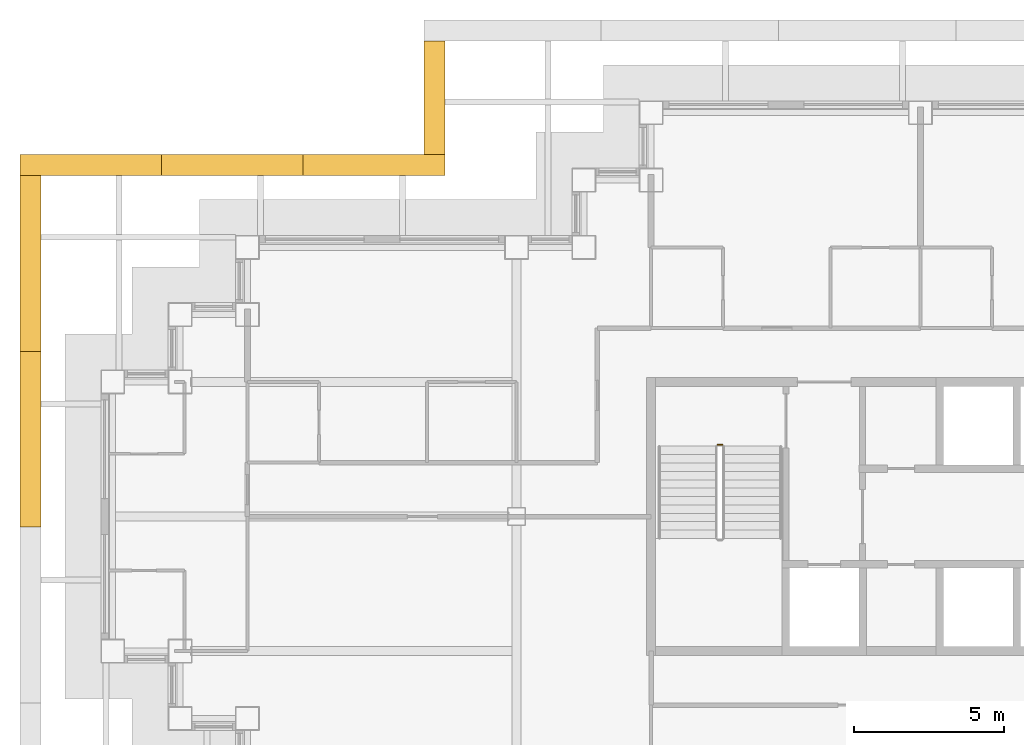
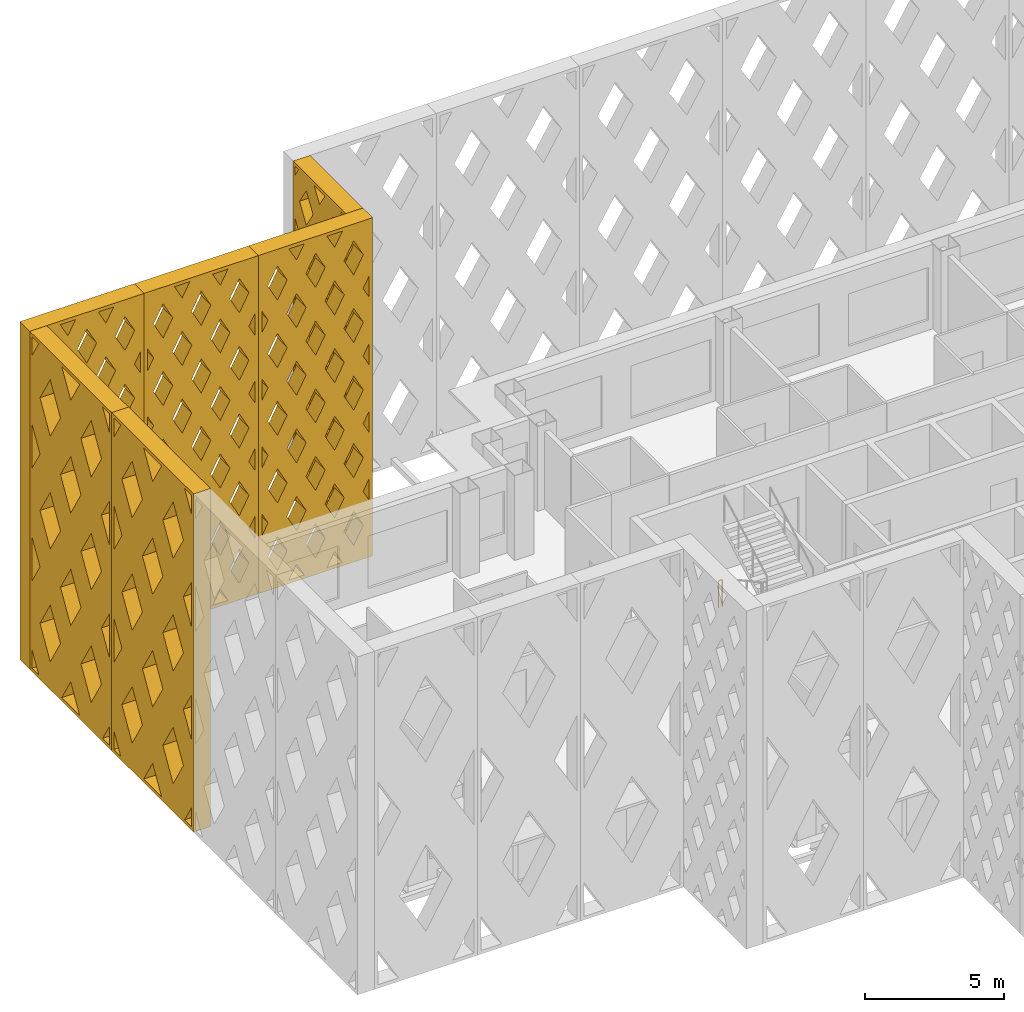
# One storey, part 17 of 19: 6 shading devices, 1 railing.
"""IFC4 building model written with IfcOpenShell, lengths in metres."""

from ifc_helpers import new_model, si_unit, direction, frame, origin, origin_2d, place, context, subcontext, project, spatial, polyline, circle, outline, extrude, material, type_object, element, save


model = new_model("IFC4")

# Units and contexts
model_context = context("Model", 3, precision=1e-05, world=origin(), true_north=direction((0.0, 1.0)))
body_context = subcontext(model_context, "Body", "Model", "MODEL_VIEW")
ifc_project = project(units=[si_unit("LENGTHUNIT", "METRE"), si_unit("AREAUNIT", "SQUARE_METRE"), si_unit("VOLUMEUNIT", "CUBIC_METRE"), si_unit("PLANEANGLEUNIT", "RADIAN"), si_unit("MASSUNIT", "GRAM", prefix="KILO")], contexts=[model_context])

# Site, building, storey
site_placement = place(None, origin())
site = spatial("IfcSite", under=ifc_project, at=site_placement, CompositionType="ELEMENT")
building_placement = place(site_placement, origin())
building = spatial("IfcBuilding", under=site, at=building_placement, Name="Caravel Reach Hotel and Residences", CompositionType="ELEMENT")
storey_placement = place(building_placement, frame((0.0, 0.0, 150.60009765625)))
storey = spatial("IfcBuildingStorey", under=building, at=storey_placement, Name="L37", CompositionType="ELEMENT", Elevation=150.60009765625)

# Shading devices
ifc_material_1 = material(Name="Black powder-coated aluminium", Category="aluminium")
shading_device_type_1 = type_object("IfcShadingDeviceType", Name="Diamond lattice screen panel 3800 x 14800", PredefinedType="USERDEFINED", material=ifc_material_1)
shading_device_1_placement = place(storey_placement, frame((11.10009765625, 42.89990234375, 0.0), z_axis=(-1.0, 0.0, 0.0), x_axis=(0.0, -1.0, 0.0)))
element("IfcShadingDevice", 1, at=shading_device_1_placement, inside=storey, type_object=shading_device_type_1, Name="Lattice screen L37-L40 11.1", ObjectType="SCREEN", PredefinedType="USERDEFINED", context=body_context, shape_type="SweptSolid", body=[
    extrude(outline(polyline([(0.0, 0.0), (3.800048828125, 0.0), (3.800048828125, 14.800048828125), (0.0, 14.800048828125), (0.0, 0.0)]), holes=[polyline([(0.389892578125, 0.14990234375), (0.14990234375, 0.523681640625), (0.14990234375, 0.14990234375), (0.389892578125, 0.14990234375)]), polyline([(0.486083984375, 2.9599609375), (0.14990234375, 3.483642578125), (0.14990234375, 2.436279296875), (0.486083984375, 2.9599609375)]), polyline([(0.486083984375, 5.919921875), (0.14990234375, 6.44384765625), (0.14990234375, 5.396240234375), (0.486083984375, 5.919921875)]), polyline([(0.486083984375, 8.8798828125), (0.14990234375, 9.40380859375), (0.14990234375, 8.356201171875), (0.486083984375, 8.8798828125)]), polyline([(0.486083984375, 11.840087890625), (0.14990234375, 12.36376953125), (0.14990234375, 11.316162109375), (0.486083984375, 11.840087890625)]), polyline([(0.14990234375, 14.2763671875), (0.389892578125, 14.64990234375), (0.14990234375, 14.64990234375), (0.14990234375, 14.2763671875)]), polyline([(0.949951171875, 2.237548828125), (0.4638671875, 1.47998046875), (0.949951171875, 0.72265625), (1.436279296875, 1.47998046875), (0.949951171875, 2.237548828125)]), polyline([(0.949951171875, 5.197509765625), (0.4638671875, 4.43994140625), (0.949951171875, 3.6826171875), (1.436279296875, 4.43994140625), (0.949951171875, 5.197509765625)]), polyline([(0.949951171875, 8.157470703125), (0.4638671875, 7.39990234375), (0.949951171875, 6.642578125), (1.436279296875, 7.39990234375), (0.949951171875, 8.157470703125)]), polyline([(0.949951171875, 11.117431640625), (0.4638671875, 10.360107421875), (0.949951171875, 9.6025390625), (1.436279296875, 10.360107421875), (0.949951171875, 11.117431640625)]), polyline([(0.949951171875, 14.077392578125), (0.4638671875, 13.320068359375), (0.949951171875, 12.5625), (1.436279296875, 13.320068359375), (0.949951171875, 14.077392578125)]), polyline([(1.89990234375, 0.75732421875), (1.510009765625, 0.14990234375), (2.289794921875, 0.14990234375), (1.89990234375, 0.75732421875)]), polyline([(1.89990234375, 3.717529296875), (1.413818359375, 2.9599609375), (1.89990234375, 2.20263671875), (2.38623046875, 2.9599609375), (1.89990234375, 3.717529296875)]), polyline([(1.89990234375, 6.677490234375), (1.413818359375, 5.919921875), (1.89990234375, 5.16259765625), (2.38623046875, 5.919921875), (1.89990234375, 6.677490234375)]), polyline([(1.89990234375, 9.637451171875), (1.413818359375, 8.8798828125), (1.89990234375, 8.12255859375), (2.38623046875, 8.8798828125), (1.89990234375, 9.637451171875)]), polyline([(1.89990234375, 12.597412109375), (1.413818359375, 11.840087890625), (1.89990234375, 11.08251953125), (2.38623046875, 11.840087890625), (1.89990234375, 12.597412109375)]), polyline([(1.89990234375, 14.04248046875), (2.289794921875, 14.64990234375), (1.510009765625, 14.64990234375), (1.89990234375, 14.04248046875)]), polyline([(2.85009765625, 2.237548828125), (2.36376953125, 1.47998046875), (2.85009765625, 0.72265625), (3.336181640625, 1.47998046875), (2.85009765625, 2.237548828125)]), polyline([(2.85009765625, 5.197509765625), (2.36376953125, 4.43994140625), (2.85009765625, 3.6826171875), (3.336181640625, 4.43994140625), (2.85009765625, 5.197509765625)]), polyline([(2.85009765625, 8.157470703125), (2.36376953125, 7.39990234375), (2.85009765625, 6.642578125), (3.336181640625, 7.39990234375), (2.85009765625, 8.157470703125)]), polyline([(2.85009765625, 11.117431640625), (2.36376953125, 10.360107421875), (2.85009765625, 9.6025390625), (3.336181640625, 10.360107421875), (2.85009765625, 11.117431640625)]), polyline([(2.85009765625, 14.077392578125), (2.36376953125, 13.320068359375), (2.85009765625, 12.5625), (3.336181640625, 13.320068359375), (2.85009765625, 14.077392578125)]), polyline([(3.64990234375, 0.523681640625), (3.41015625, 0.14990234375), (3.64990234375, 0.14990234375), (3.64990234375, 0.523681640625)]), polyline([(3.313720703125, 2.9599609375), (3.64990234375, 2.436279296875), (3.64990234375, 3.483642578125), (3.313720703125, 2.9599609375)]), polyline([(3.313720703125, 5.919921875), (3.64990234375, 5.396240234375), (3.64990234375, 6.44384765625), (3.313720703125, 5.919921875)]), polyline([(3.313720703125, 8.8798828125), (3.64990234375, 8.356201171875), (3.64990234375, 9.40380859375), (3.313720703125, 8.8798828125)]), polyline([(3.313720703125, 11.840087890625), (3.64990234375, 11.316162109375), (3.64990234375, 12.36376953125), (3.313720703125, 11.840087890625)]), polyline([(3.41015625, 14.64990234375), (3.64990234375, 14.2763671875), (3.64990234375, 14.64990234375), (3.41015625, 14.64990234375)])]), origin(), (0.0, 0.0, 1.0), 0.7001953125),
])
ifc_material_2 = material(Name="Black powder-coated aluminium", Category="aluminium")
shading_device_type_2 = type_object("IfcShadingDeviceType", Name="Diamond lattice screen panel 4733 x 14800", PredefinedType="USERDEFINED", material=ifc_material_2)
shading_device_2_placement = place(storey_placement, frame((11.10009765625, 38.39990234375, 0.0), z_axis=(0.0, 1.0, 0.0), x_axis=(-1.0, 0.0, 0.0)))
element("IfcShadingDevice", 2, at=shading_device_2_placement, inside=storey, type_object=shading_device_type_2, Name="Lattice screen L37-L40 12.1", ObjectType="SCREEN", PredefinedType="USERDEFINED", context=body_context, shape_type="SweptSolid", body=[
    extrude(outline(polyline([(0.0, 0.0), (4.7333984375, 0.0), (4.7333984375, 14.800048828125), (0.0, 14.800048828125), (0.0, 0.0)]), holes=[polyline([(0.398681640625, 2.9599609375), (0.14990234375, 3.4267578125), (0.14990234375, 2.493408203125), (0.398681640625, 2.9599609375)]), polyline([(0.398681640625, 5.919921875), (0.14990234375, 6.38671875), (0.14990234375, 5.453369140625), (0.398681640625, 5.919921875)]), polyline([(0.398681640625, 8.8798828125), (0.14990234375, 9.3466796875), (0.14990234375, 8.413330078125), (0.398681640625, 8.8798828125)]), polyline([(0.398681640625, 11.840087890625), (0.14990234375, 12.306640625), (0.14990234375, 11.373291015625), (0.398681640625, 11.840087890625)]), polyline([(0.788818359375, 2.22802734375), (0.39013671875, 1.47998046875), (0.788818359375, 0.73193359375), (1.187744140625, 1.47998046875), (0.788818359375, 2.22802734375)]), polyline([(0.788818359375, 5.18798828125), (0.39013671875, 4.43994140625), (0.788818359375, 3.69189453125), (1.187744140625, 4.43994140625), (0.788818359375, 5.18798828125)]), polyline([(0.788818359375, 8.14794921875), (0.39013671875, 7.39990234375), (0.788818359375, 6.65185546875), (1.187744140625, 7.39990234375), (0.788818359375, 8.14794921875)]), polyline([(0.788818359375, 11.108154296875), (0.39013671875, 10.360107421875), (0.788818359375, 9.612060546875), (1.187744140625, 10.360107421875), (0.788818359375, 11.108154296875)]), polyline([(0.788818359375, 14.068115234375), (0.39013671875, 13.320068359375), (0.788818359375, 12.572021484375), (1.187744140625, 13.320068359375), (0.788818359375, 14.068115234375)]), polyline([(1.577880859375, 0.748046875), (1.259033203125, 0.14990234375), (1.896484375, 0.14990234375), (1.577880859375, 0.748046875)]), polyline([(1.577880859375, 3.7080078125), (1.178955078125, 2.9599609375), (1.577880859375, 2.2119140625), (1.9765625, 2.9599609375), (1.577880859375, 3.7080078125)]), polyline([(1.577880859375, 6.66796875), (1.178955078125, 5.919921875), (1.577880859375, 5.171875), (1.9765625, 5.919921875), (1.577880859375, 6.66796875)]), polyline([(1.577880859375, 9.6279296875), (1.178955078125, 8.8798828125), (1.577880859375, 8.1318359375), (1.9765625, 8.8798828125), (1.577880859375, 9.6279296875)]), polyline([(1.577880859375, 12.588134765625), (1.178955078125, 11.840087890625), (1.577880859375, 11.092041015625), (1.9765625, 11.840087890625), (1.577880859375, 12.588134765625)]), polyline([(1.577880859375, 14.052001953125), (1.896484375, 14.64990234375), (1.259033203125, 14.64990234375), (1.577880859375, 14.052001953125)]), polyline([(2.36669921875, 2.22802734375), (1.968017578125, 1.47998046875), (2.36669921875, 0.73193359375), (2.765380859375, 1.47998046875), (2.36669921875, 2.22802734375)]), polyline([(2.36669921875, 5.18798828125), (1.968017578125, 4.43994140625), (2.36669921875, 3.69189453125), (2.765380859375, 4.43994140625), (2.36669921875, 5.18798828125)]), polyline([(2.36669921875, 8.14794921875), (1.968017578125, 7.39990234375), (2.36669921875, 6.65185546875), (2.765380859375, 7.39990234375), (2.36669921875, 8.14794921875)]), polyline([(2.36669921875, 11.108154296875), (1.968017578125, 10.360107421875), (2.36669921875, 9.612060546875), (2.765380859375, 10.360107421875), (2.36669921875, 11.108154296875)]), polyline([(2.36669921875, 14.068115234375), (1.968017578125, 13.320068359375), (2.36669921875, 12.572021484375), (2.765380859375, 13.320068359375), (2.36669921875, 14.068115234375)]), polyline([(3.155517578125, 0.748046875), (2.836669921875, 0.14990234375), (3.474365234375, 0.14990234375), (3.155517578125, 0.748046875)]), polyline([(3.155517578125, 3.7080078125), (2.7568359375, 2.9599609375), (3.155517578125, 2.2119140625), (3.55419921875, 2.9599609375), (3.155517578125, 3.7080078125)]), polyline([(3.155517578125, 6.66796875), (2.7568359375, 5.919921875), (3.155517578125, 5.171875), (3.55419921875, 5.919921875), (3.155517578125, 6.66796875)]), polyline([(3.155517578125, 9.6279296875), (2.7568359375, 8.8798828125), (3.155517578125, 8.1318359375), (3.55419921875, 8.8798828125), (3.155517578125, 9.6279296875)]), polyline([(3.155517578125, 12.588134765625), (2.7568359375, 11.840087890625), (3.155517578125, 11.092041015625), (3.55419921875, 11.840087890625), (3.155517578125, 12.588134765625)]), polyline([(3.155517578125, 14.052001953125), (3.474365234375, 14.64990234375), (2.836669921875, 14.64990234375), (3.155517578125, 14.052001953125)]), polyline([(3.9443359375, 2.22802734375), (3.545654296875, 1.47998046875), (3.9443359375, 0.73193359375), (4.34326171875, 1.47998046875), (3.9443359375, 2.22802734375)]), polyline([(3.9443359375, 5.18798828125), (3.545654296875, 4.43994140625), (3.9443359375, 3.69189453125), (4.34326171875, 4.43994140625), (3.9443359375, 5.18798828125)]), polyline([(3.9443359375, 8.14794921875), (3.545654296875, 7.39990234375), (3.9443359375, 6.65185546875), (4.34326171875, 7.39990234375), (3.9443359375, 8.14794921875)]), polyline([(3.9443359375, 11.108154296875), (3.545654296875, 10.360107421875), (3.9443359375, 9.612060546875), (4.34326171875, 10.360107421875), (3.9443359375, 11.108154296875)]), polyline([(3.9443359375, 14.068115234375), (3.545654296875, 13.320068359375), (3.9443359375, 12.572021484375), (4.34326171875, 13.320068359375), (3.9443359375, 14.068115234375)]), polyline([(4.334716796875, 2.9599609375), (4.583251953125, 2.493408203125), (4.583251953125, 3.4267578125), (4.334716796875, 2.9599609375)]), polyline([(4.334716796875, 5.919921875), (4.583251953125, 5.453369140625), (4.583251953125, 6.38671875), (4.334716796875, 5.919921875)]), polyline([(4.334716796875, 8.8798828125), (4.583251953125, 8.413330078125), (4.583251953125, 9.3466796875), (4.334716796875, 8.8798828125)]), polyline([(4.334716796875, 11.840087890625), (4.583251953125, 11.373291015625), (4.583251953125, 12.306640625), (4.334716796875, 11.840087890625)])]), origin(), (0.0, 0.0, 1.0), 0.7001953125),
])
shading_device_3_placement = place(storey_placement, frame((6.36669921875, 38.39990234375, 0.0), z_axis=(0.0, 1.0, 0.0), x_axis=(-1.0, 0.0, 0.0)))
element("IfcShadingDevice", 3, at=shading_device_3_placement, inside=storey, type_object=shading_device_type_2, Name="Lattice screen L37-L40 12.2", ObjectType="SCREEN", PredefinedType="USERDEFINED", context=body_context, shape_type="SweptSolid", body=[
    extrude(outline(polyline([(0.0, 0.0), (4.7333984375, 0.0), (4.7333984375, 14.800048828125), (0.0, 14.800048828125), (0.0, 0.0)]), holes=[polyline([(0.398681640625, 2.9599609375), (0.14990234375, 3.4267578125), (0.14990234375, 2.493408203125), (0.398681640625, 2.9599609375)]), polyline([(0.398681640625, 5.919921875), (0.14990234375, 6.38671875), (0.14990234375, 5.453369140625), (0.398681640625, 5.919921875)]), polyline([(0.398681640625, 8.8798828125), (0.14990234375, 9.3466796875), (0.14990234375, 8.413330078125), (0.398681640625, 8.8798828125)]), polyline([(0.398681640625, 11.840087890625), (0.14990234375, 12.306640625), (0.14990234375, 11.373291015625), (0.398681640625, 11.840087890625)]), polyline([(0.788818359375, 2.22802734375), (0.39013671875, 1.47998046875), (0.788818359375, 0.73193359375), (1.187744140625, 1.47998046875), (0.788818359375, 2.22802734375)]), polyline([(0.788818359375, 5.18798828125), (0.39013671875, 4.43994140625), (0.788818359375, 3.69189453125), (1.187744140625, 4.43994140625), (0.788818359375, 5.18798828125)]), polyline([(0.788818359375, 8.14794921875), (0.39013671875, 7.39990234375), (0.788818359375, 6.65185546875), (1.187744140625, 7.39990234375), (0.788818359375, 8.14794921875)]), polyline([(0.788818359375, 11.108154296875), (0.39013671875, 10.360107421875), (0.788818359375, 9.612060546875), (1.187744140625, 10.360107421875), (0.788818359375, 11.108154296875)]), polyline([(0.788818359375, 14.068115234375), (0.39013671875, 13.320068359375), (0.788818359375, 12.572021484375), (1.187744140625, 13.320068359375), (0.788818359375, 14.068115234375)]), polyline([(1.577880859375, 0.748046875), (1.259033203125, 0.14990234375), (1.896484375, 0.14990234375), (1.577880859375, 0.748046875)]), polyline([(1.577880859375, 3.7080078125), (1.178955078125, 2.9599609375), (1.577880859375, 2.2119140625), (1.9765625, 2.9599609375), (1.577880859375, 3.7080078125)]), polyline([(1.577880859375, 6.66796875), (1.178955078125, 5.919921875), (1.577880859375, 5.171875), (1.9765625, 5.919921875), (1.577880859375, 6.66796875)]), polyline([(1.577880859375, 9.6279296875), (1.178955078125, 8.8798828125), (1.577880859375, 8.1318359375), (1.9765625, 8.8798828125), (1.577880859375, 9.6279296875)]), polyline([(1.577880859375, 12.588134765625), (1.178955078125, 11.840087890625), (1.577880859375, 11.092041015625), (1.9765625, 11.840087890625), (1.577880859375, 12.588134765625)]), polyline([(1.577880859375, 14.052001953125), (1.896484375, 14.64990234375), (1.259033203125, 14.64990234375), (1.577880859375, 14.052001953125)]), polyline([(2.36669921875, 2.22802734375), (1.968017578125, 1.47998046875), (2.36669921875, 0.73193359375), (2.765380859375, 1.47998046875), (2.36669921875, 2.22802734375)]), polyline([(2.36669921875, 5.18798828125), (1.968017578125, 4.43994140625), (2.36669921875, 3.69189453125), (2.765380859375, 4.43994140625), (2.36669921875, 5.18798828125)]), polyline([(2.36669921875, 8.14794921875), (1.968017578125, 7.39990234375), (2.36669921875, 6.65185546875), (2.765380859375, 7.39990234375), (2.36669921875, 8.14794921875)]), polyline([(2.36669921875, 11.108154296875), (1.968017578125, 10.360107421875), (2.36669921875, 9.612060546875), (2.765380859375, 10.360107421875), (2.36669921875, 11.108154296875)]), polyline([(2.36669921875, 14.068115234375), (1.968017578125, 13.320068359375), (2.36669921875, 12.572021484375), (2.765380859375, 13.320068359375), (2.36669921875, 14.068115234375)]), polyline([(3.155517578125, 0.748046875), (2.836669921875, 0.14990234375), (3.474365234375, 0.14990234375), (3.155517578125, 0.748046875)]), polyline([(3.155517578125, 3.7080078125), (2.7568359375, 2.9599609375), (3.155517578125, 2.2119140625), (3.55419921875, 2.9599609375), (3.155517578125, 3.7080078125)]), polyline([(3.155517578125, 6.66796875), (2.7568359375, 5.919921875), (3.155517578125, 5.171875), (3.55419921875, 5.919921875), (3.155517578125, 6.66796875)]), polyline([(3.155517578125, 9.6279296875), (2.7568359375, 8.8798828125), (3.155517578125, 8.1318359375), (3.55419921875, 8.8798828125), (3.155517578125, 9.6279296875)]), polyline([(3.155517578125, 12.588134765625), (2.7568359375, 11.840087890625), (3.155517578125, 11.092041015625), (3.55419921875, 11.840087890625), (3.155517578125, 12.588134765625)]), polyline([(3.155517578125, 14.052001953125), (3.474365234375, 14.64990234375), (2.836669921875, 14.64990234375), (3.155517578125, 14.052001953125)]), polyline([(3.9443359375, 2.22802734375), (3.545654296875, 1.47998046875), (3.9443359375, 0.73193359375), (4.34326171875, 1.47998046875), (3.9443359375, 2.22802734375)]), polyline([(3.9443359375, 5.18798828125), (3.545654296875, 4.43994140625), (3.9443359375, 3.69189453125), (4.34326171875, 4.43994140625), (3.9443359375, 5.18798828125)]), polyline([(3.9443359375, 8.14794921875), (3.545654296875, 7.39990234375), (3.9443359375, 6.65185546875), (4.34326171875, 7.39990234375), (3.9443359375, 8.14794921875)]), polyline([(3.9443359375, 11.108154296875), (3.545654296875, 10.360107421875), (3.9443359375, 9.612060546875), (4.34326171875, 10.360107421875), (3.9443359375, 11.108154296875)]), polyline([(3.9443359375, 14.068115234375), (3.545654296875, 13.320068359375), (3.9443359375, 12.572021484375), (4.34326171875, 13.320068359375), (3.9443359375, 14.068115234375)]), polyline([(4.334716796875, 2.9599609375), (4.583251953125, 2.493408203125), (4.583251953125, 3.4267578125), (4.334716796875, 2.9599609375)]), polyline([(4.334716796875, 5.919921875), (4.583251953125, 5.453369140625), (4.583251953125, 6.38671875), (4.334716796875, 5.919921875)]), polyline([(4.334716796875, 8.8798828125), (4.583251953125, 8.413330078125), (4.583251953125, 9.3466796875), (4.334716796875, 8.8798828125)]), polyline([(4.334716796875, 11.840087890625), (4.583251953125, 11.373291015625), (4.583251953125, 12.306640625), (4.334716796875, 11.840087890625)])]), origin(), (0.0, 0.0, 1.0), 0.7001953125),
])
shading_device_4_placement = place(storey_placement, frame((1.63330078125, 38.39990234375, 0.0), z_axis=(0.0, 1.0, 0.0), x_axis=(-1.0, 0.0, 0.0)))
element("IfcShadingDevice", 4, at=shading_device_4_placement, inside=storey, type_object=shading_device_type_2, Name="Lattice screen L37-L40 12.3", ObjectType="SCREEN", PredefinedType="USERDEFINED", context=body_context, shape_type="SweptSolid", body=[
    extrude(outline(polyline([(0.0, 0.0), (4.7333984375, 0.0), (4.7333984375, 14.800048828125), (0.0, 14.800048828125), (0.0, 0.0)]), holes=[polyline([(0.398681640625, 2.9599609375), (0.14990234375, 3.4267578125), (0.14990234375, 2.493408203125), (0.398681640625, 2.9599609375)]), polyline([(0.398681640625, 5.919921875), (0.14990234375, 6.38671875), (0.14990234375, 5.453369140625), (0.398681640625, 5.919921875)]), polyline([(0.398681640625, 8.8798828125), (0.14990234375, 9.3466796875), (0.14990234375, 8.413330078125), (0.398681640625, 8.8798828125)]), polyline([(0.398681640625, 11.840087890625), (0.14990234375, 12.306640625), (0.14990234375, 11.373291015625), (0.398681640625, 11.840087890625)]), polyline([(0.788818359375, 2.22802734375), (0.39013671875, 1.47998046875), (0.788818359375, 0.73193359375), (1.187744140625, 1.47998046875), (0.788818359375, 2.22802734375)]), polyline([(0.788818359375, 5.18798828125), (0.39013671875, 4.43994140625), (0.788818359375, 3.69189453125), (1.187744140625, 4.43994140625), (0.788818359375, 5.18798828125)]), polyline([(0.788818359375, 8.14794921875), (0.39013671875, 7.39990234375), (0.788818359375, 6.65185546875), (1.187744140625, 7.39990234375), (0.788818359375, 8.14794921875)]), polyline([(0.788818359375, 11.108154296875), (0.39013671875, 10.360107421875), (0.788818359375, 9.612060546875), (1.187744140625, 10.360107421875), (0.788818359375, 11.108154296875)]), polyline([(0.788818359375, 14.068115234375), (0.39013671875, 13.320068359375), (0.788818359375, 12.572021484375), (1.187744140625, 13.320068359375), (0.788818359375, 14.068115234375)]), polyline([(1.577880859375, 0.748046875), (1.259033203125, 0.14990234375), (1.896484375, 0.14990234375), (1.577880859375, 0.748046875)]), polyline([(1.577880859375, 3.7080078125), (1.178955078125, 2.9599609375), (1.577880859375, 2.2119140625), (1.9765625, 2.9599609375), (1.577880859375, 3.7080078125)]), polyline([(1.577880859375, 6.66796875), (1.178955078125, 5.919921875), (1.577880859375, 5.171875), (1.9765625, 5.919921875), (1.577880859375, 6.66796875)]), polyline([(1.577880859375, 9.6279296875), (1.178955078125, 8.8798828125), (1.577880859375, 8.1318359375), (1.9765625, 8.8798828125), (1.577880859375, 9.6279296875)]), polyline([(1.577880859375, 12.588134765625), (1.178955078125, 11.840087890625), (1.577880859375, 11.092041015625), (1.9765625, 11.840087890625), (1.577880859375, 12.588134765625)]), polyline([(1.577880859375, 14.052001953125), (1.896484375, 14.64990234375), (1.259033203125, 14.64990234375), (1.577880859375, 14.052001953125)]), polyline([(2.36669921875, 2.22802734375), (1.968017578125, 1.47998046875), (2.36669921875, 0.73193359375), (2.765380859375, 1.47998046875), (2.36669921875, 2.22802734375)]), polyline([(2.36669921875, 5.18798828125), (1.968017578125, 4.43994140625), (2.36669921875, 3.69189453125), (2.765380859375, 4.43994140625), (2.36669921875, 5.18798828125)]), polyline([(2.36669921875, 8.14794921875), (1.968017578125, 7.39990234375), (2.36669921875, 6.65185546875), (2.765380859375, 7.39990234375), (2.36669921875, 8.14794921875)]), polyline([(2.36669921875, 11.108154296875), (1.968017578125, 10.360107421875), (2.36669921875, 9.612060546875), (2.765380859375, 10.360107421875), (2.36669921875, 11.108154296875)]), polyline([(2.36669921875, 14.068115234375), (1.968017578125, 13.320068359375), (2.36669921875, 12.572021484375), (2.765380859375, 13.320068359375), (2.36669921875, 14.068115234375)]), polyline([(3.155517578125, 0.748046875), (2.836669921875, 0.14990234375), (3.474365234375, 0.14990234375), (3.155517578125, 0.748046875)]), polyline([(3.155517578125, 3.7080078125), (2.7568359375, 2.9599609375), (3.155517578125, 2.2119140625), (3.55419921875, 2.9599609375), (3.155517578125, 3.7080078125)]), polyline([(3.155517578125, 6.66796875), (2.7568359375, 5.919921875), (3.155517578125, 5.171875), (3.55419921875, 5.919921875), (3.155517578125, 6.66796875)]), polyline([(3.155517578125, 9.6279296875), (2.7568359375, 8.8798828125), (3.155517578125, 8.1318359375), (3.55419921875, 8.8798828125), (3.155517578125, 9.6279296875)]), polyline([(3.155517578125, 12.588134765625), (2.7568359375, 11.840087890625), (3.155517578125, 11.092041015625), (3.55419921875, 11.840087890625), (3.155517578125, 12.588134765625)]), polyline([(3.155517578125, 14.052001953125), (3.474365234375, 14.64990234375), (2.836669921875, 14.64990234375), (3.155517578125, 14.052001953125)]), polyline([(3.9443359375, 2.22802734375), (3.545654296875, 1.47998046875), (3.9443359375, 0.73193359375), (4.34326171875, 1.47998046875), (3.9443359375, 2.22802734375)]), polyline([(3.9443359375, 5.18798828125), (3.545654296875, 4.43994140625), (3.9443359375, 3.69189453125), (4.34326171875, 4.43994140625), (3.9443359375, 5.18798828125)]), polyline([(3.9443359375, 8.14794921875), (3.545654296875, 7.39990234375), (3.9443359375, 6.65185546875), (4.34326171875, 7.39990234375), (3.9443359375, 8.14794921875)]), polyline([(3.9443359375, 11.108154296875), (3.545654296875, 10.360107421875), (3.9443359375, 9.612060546875), (4.34326171875, 10.360107421875), (3.9443359375, 11.108154296875)]), polyline([(3.9443359375, 14.068115234375), (3.545654296875, 13.320068359375), (3.9443359375, 12.572021484375), (4.34326171875, 13.320068359375), (3.9443359375, 14.068115234375)]), polyline([(4.334716796875, 2.9599609375), (4.583251953125, 2.493408203125), (4.583251953125, 3.4267578125), (4.334716796875, 2.9599609375)]), polyline([(4.334716796875, 5.919921875), (4.583251953125, 5.453369140625), (4.583251953125, 6.38671875), (4.334716796875, 5.919921875)]), polyline([(4.334716796875, 8.8798828125), (4.583251953125, 8.413330078125), (4.583251953125, 9.3466796875), (4.334716796875, 8.8798828125)]), polyline([(4.334716796875, 11.840087890625), (4.583251953125, 11.373291015625), (4.583251953125, 12.306640625), (4.334716796875, 11.840087890625)])]), origin(), (0.0, 0.0, 1.0), 0.7001953125),
])
ifc_material_3 = material(Name="Black powder-coated aluminium", Category="aluminium")
shading_device_type_3 = type_object("IfcShadingDeviceType", Name="Diamond lattice screen panel 5875 x 14800", PredefinedType="USERDEFINED", material=ifc_material_3)
shading_device_5_placement = place(storey_placement, frame((-2.39990234375, 38.39990234375, 0.0), z_axis=(-1.0, 0.0, 0.0), x_axis=(0.0, -1.0, 0.0)))
element("IfcShadingDevice", 5, at=shading_device_5_placement, inside=storey, type_object=shading_device_type_3, Name="Lattice screen L37-L40 13.1", ObjectType="SCREEN", PredefinedType="USERDEFINED", context=body_context, shape_type="SweptSolid", body=[
    extrude(outline(polyline([(0.0, 0.0), (5.875, 0.0), (5.875, 14.800048828125), (0.0, 14.800048828125), (0.0, 0.0)]), holes=[polyline([(0.647216796875, 0.14990234375), (0.14990234375, 0.985107421875), (0.14990234375, 0.14990234375), (0.647216796875, 0.14990234375)]), polyline([(0.736572265625, 4.933349609375), (0.14990234375, 5.91845703125), (0.14990234375, 3.9482421875), (0.736572265625, 4.933349609375)]), polyline([(0.736572265625, 9.86669921875), (0.14990234375, 10.851806640625), (0.14990234375, 8.881591796875), (0.736572265625, 9.86669921875)]), polyline([(0.14990234375, 13.81494140625), (0.647216796875, 14.64990234375), (0.14990234375, 14.64990234375), (0.14990234375, 13.81494140625)]), polyline([(1.46875, 3.70361328125), (0.732177734375, 2.466552734375), (1.46875, 1.2294921875), (2.205322265625, 2.466552734375), (1.46875, 3.70361328125)]), polyline([(1.46875, 8.636962890625), (0.732177734375, 7.39990234375), (1.46875, 6.162841796875), (2.205322265625, 7.39990234375), (1.46875, 8.636962890625)]), polyline([(1.46875, 13.5703125), (0.732177734375, 12.333251953125), (1.46875, 11.09619140625), (2.205322265625, 12.333251953125), (1.46875, 13.5703125)]), polyline([(2.9375, 1.237060546875), (2.290283203125, 0.14990234375), (3.584716796875, 0.14990234375), (2.9375, 1.237060546875)]), polyline([(2.9375, 6.17041015625), (2.200927734375, 4.933349609375), (2.9375, 3.6962890625), (3.674072265625, 4.933349609375), (2.9375, 6.17041015625)]), polyline([(2.9375, 11.103759765625), (2.200927734375, 9.86669921875), (2.9375, 8.629638671875), (3.674072265625, 9.86669921875), (2.9375, 11.103759765625)]), polyline([(2.9375, 13.56298828125), (3.584716796875, 14.64990234375), (2.290283203125, 14.64990234375), (2.9375, 13.56298828125)]), polyline([(4.40625, 3.70361328125), (3.669677734375, 2.466552734375), (4.40625, 1.2294921875), (5.142822265625, 2.466552734375), (4.40625, 3.70361328125)]), polyline([(4.40625, 8.636962890625), (3.669677734375, 7.39990234375), (4.40625, 6.162841796875), (5.142822265625, 7.39990234375), (4.40625, 8.636962890625)]), polyline([(4.40625, 13.5703125), (3.669677734375, 12.333251953125), (4.40625, 11.09619140625), (5.142822265625, 12.333251953125), (4.40625, 13.5703125)]), polyline([(5.72509765625, 0.985107421875), (5.227783203125, 0.14990234375), (5.72509765625, 0.14990234375), (5.72509765625, 0.985107421875)]), polyline([(5.138427734375, 4.933349609375), (5.72509765625, 3.9482421875), (5.72509765625, 5.91845703125), (5.138427734375, 4.933349609375)]), polyline([(5.138427734375, 9.86669921875), (5.72509765625, 8.881591796875), (5.72509765625, 10.851806640625), (5.138427734375, 9.86669921875)]), polyline([(5.227783203125, 14.64990234375), (5.72509765625, 13.81494140625), (5.72509765625, 14.64990234375), (5.227783203125, 14.64990234375)])]), origin(), (0.0, 0.0, 1.0), 0.7001953125),
])
shading_device_6_placement = place(storey_placement, frame((-2.39990234375, 32.52490234375, 0.0), z_axis=(-1.0, 0.0, 0.0), x_axis=(0.0, -1.0, 0.0)))
element("IfcShadingDevice", 6, at=shading_device_6_placement, inside=storey, type_object=shading_device_type_3, Name="Lattice screen L37-L40 13.2", ObjectType="SCREEN", PredefinedType="USERDEFINED", context=body_context, shape_type="SweptSolid", body=[
    extrude(outline(polyline([(0.0, 0.0), (5.875, 0.0), (5.875, 14.800048828125), (0.0, 14.800048828125), (0.0, 0.0)]), holes=[polyline([(0.647216796875, 0.14990234375), (0.14990234375, 0.985107421875), (0.14990234375, 0.14990234375), (0.647216796875, 0.14990234375)]), polyline([(0.736572265625, 4.933349609375), (0.14990234375, 5.91845703125), (0.14990234375, 3.9482421875), (0.736572265625, 4.933349609375)]), polyline([(0.736572265625, 9.86669921875), (0.14990234375, 10.851806640625), (0.14990234375, 8.881591796875), (0.736572265625, 9.86669921875)]), polyline([(0.14990234375, 13.81494140625), (0.647216796875, 14.64990234375), (0.14990234375, 14.64990234375), (0.14990234375, 13.81494140625)]), polyline([(1.46875, 3.70361328125), (0.732177734375, 2.466552734375), (1.46875, 1.2294921875), (2.205322265625, 2.466552734375), (1.46875, 3.70361328125)]), polyline([(1.46875, 8.636962890625), (0.732177734375, 7.39990234375), (1.46875, 6.162841796875), (2.205322265625, 7.39990234375), (1.46875, 8.636962890625)]), polyline([(1.46875, 13.5703125), (0.732177734375, 12.333251953125), (1.46875, 11.09619140625), (2.205322265625, 12.333251953125), (1.46875, 13.5703125)]), polyline([(2.9375, 1.237060546875), (2.290283203125, 0.14990234375), (3.584716796875, 0.14990234375), (2.9375, 1.237060546875)]), polyline([(2.9375, 6.17041015625), (2.200927734375, 4.933349609375), (2.9375, 3.6962890625), (3.674072265625, 4.933349609375), (2.9375, 6.17041015625)]), polyline([(2.9375, 11.103759765625), (2.200927734375, 9.86669921875), (2.9375, 8.629638671875), (3.674072265625, 9.86669921875), (2.9375, 11.103759765625)]), polyline([(2.9375, 13.56298828125), (3.584716796875, 14.64990234375), (2.290283203125, 14.64990234375), (2.9375, 13.56298828125)]), polyline([(4.40625, 3.70361328125), (3.669677734375, 2.466552734375), (4.40625, 1.2294921875), (5.142822265625, 2.466552734375), (4.40625, 3.70361328125)]), polyline([(4.40625, 8.636962890625), (3.669677734375, 7.39990234375), (4.40625, 6.162841796875), (5.142822265625, 7.39990234375), (4.40625, 8.636962890625)]), polyline([(4.40625, 13.5703125), (3.669677734375, 12.333251953125), (4.40625, 11.09619140625), (5.142822265625, 12.333251953125), (4.40625, 13.5703125)]), polyline([(5.72509765625, 0.985107421875), (5.227783203125, 0.14990234375), (5.72509765625, 0.14990234375), (5.72509765625, 0.985107421875)]), polyline([(5.138427734375, 4.933349609375), (5.72509765625, 3.9482421875), (5.72509765625, 5.91845703125), (5.138427734375, 4.933349609375)]), polyline([(5.138427734375, 9.86669921875), (5.72509765625, 8.881591796875), (5.72509765625, 10.851806640625), (5.138427734375, 9.86669921875)]), polyline([(5.227783203125, 14.64990234375), (5.72509765625, 13.81494140625), (5.72509765625, 14.64990234375), (5.227783203125, 14.64990234375)])]), origin(), (0.0, 0.0, 1.0), 0.7001953125),
])

# Railing
ifc_material_4 = material(Name="Steel balustrade with glass infill", Category="steel")
railing_type = type_object("IfcRailingType", Name="Guard 1200", PredefinedType="GUARDRAIL", material=ifc_material_4)
railing_placement = place(storey_placement, frame((20.22509765625, 29.39990234375, 0.0)))
element("IfcRailing", 7, at=railing_placement, inside=storey, type_object=railing_type, Name="L37 ST-A stair guard 4", PredefinedType="GUARDRAIL", context=body_context, shape_type="SweptSolid", body=[
    extrude(circle(Radius=0.02392578125, at=origin_2d()), frame((0.0, 0.0, 1.17578125), z_axis=(1.0, 0.0, 0.0), x_axis=(0.0, 1.0, 0.0)), (0.0, 0.0, 1.0), 0.14990234375),
    extrude(circle(Radius=0.02099609375, at=origin_2d()), origin(), (0.0, 0.0, 1.0), 1.15185546875),
    extrude(circle(Radius=0.02099609375, at=origin_2d()), frame((0.14990234375, 0.0, 0.0)), (0.0, 0.0, 1.0), 1.15185546875),
])

save(model, "model.ifc")
